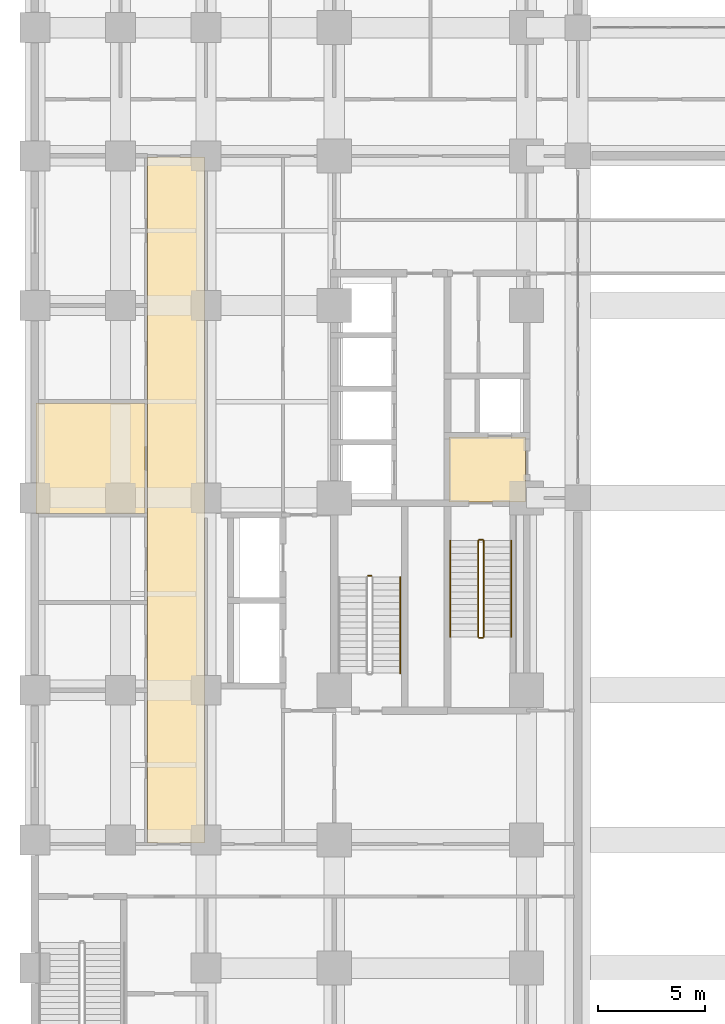
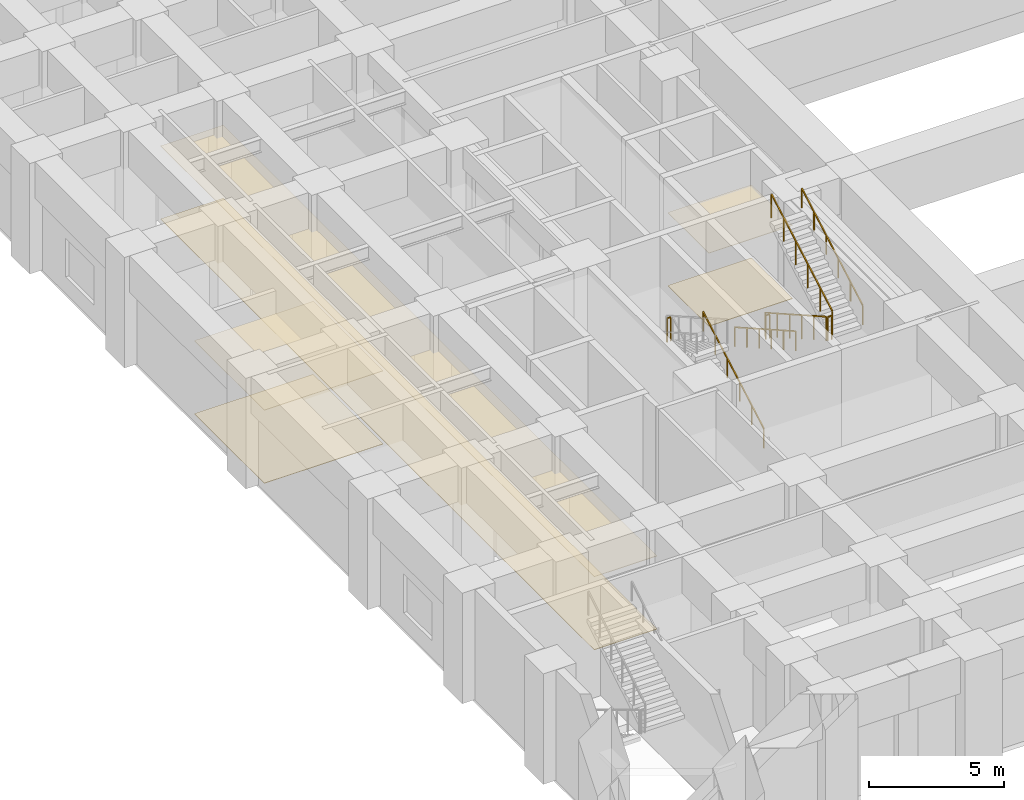
# One storey, part 20 of 24: 8 railings, 6 coverings.
"""IFC4 building model written with IfcOpenShell, lengths in metres."""

from ifc_helpers import new_model, si_unit, direction, frame, origin, origin_2d, place, context, subcontext, project, spatial, polyline, rectangle, outline, extrude, material, layer, layer_set, type_object, element, save


model = new_model("IFC4")

# Units and contexts
model_context = context("Model", 3, precision=1e-05, world=origin(), true_north=direction((0.0, 1.0)))
body_context = subcontext(model_context, "Body", "Model", "MODEL_VIEW")
ifc_project = project(units=[si_unit("LENGTHUNIT", "METRE"), si_unit("AREAUNIT", "SQUARE_METRE"), si_unit("VOLUMEUNIT", "CUBIC_METRE"), si_unit("PLANEANGLEUNIT", "RADIAN"), si_unit("MASSUNIT", "GRAM", prefix="KILO")], contexts=[model_context])

# Site, building, storey
site_placement = place(None, origin())
site = spatial("IfcSite", under=ifc_project, at=site_placement, CompositionType="ELEMENT")
building_placement = place(site_placement, origin())
building = spatial("IfcBuilding", under=site, at=building_placement, Name="Zulmaris Gate Convention Tower", CompositionType="ELEMENT")
storey_placement = place(building_placement, frame((0.0, 0.0, 16.320068359375)))
storey = spatial("IfcBuildingStorey", under=building, at=storey_placement, Name="L03", CompositionType="ELEMENT", Elevation=16.320068359375)

# Coverings
ifc_material_1 = material(Name="Mineral Fibre Acoustic Ceiling Tile")
ifc_layer_1 = layer(ifc_material_1, 0.02001953125, Name="Mineral Fibre Acoustic Ceiling Tile")
ifc_layer_set_1 = layer_set([ifc_layer_1], Name="Mineral Fibre Acoustic Ceiling Tile")
covering_type_1 = type_object("IfcCoveringType", Name="CLG-ACOUSTIC-600", PredefinedType="CEILING", material=ifc_layer_set_1)
covering_1_placement = place(storey_placement, frame((0.0, 0.0, 3.300048828125)))
element("IfcCovering", 1, at=covering_1_placement, inside=storey, type_object=covering_type_1, Name="CLG-L03-R03", PredefinedType="CEILING", context=body_context, shape_type="SweptSolid", body=[
    extrude(outline(polyline([(-14.639892578125, -0.18994140625), (-11.06005859375, -0.18994140625), (-11.06005859375, 2.840087890625), (-14.639892578125, 2.840087890625), (-14.639892578125, -0.18994140625)])), origin(), (0.0, 0.0, 1.0), 0.019775390625),
])
covering_2_placement = place(storey_placement, frame((0.0, 0.0, 3.300048828125)))
element("IfcCovering", 2, at=covering_2_placement, inside=storey, type_object=covering_type_1, Name="CLG-L03-R68", PredefinedType="CEILING", context=body_context, shape_type="SweptSolid", body=[
    extrude(outline(polyline([(-28.739990234375, -16.139892578125), (-26.06005859375, -16.139892578125), (-26.06005859375, 15.93994140625), (-28.739990234375, 15.93994140625), (-28.739990234375, -16.139892578125)])), origin(), (0.0, 0.0, 1.0), 0.019775390625),
])
covering_3_placement = place(storey_placement, frame((0.0, 0.0, 3.300048828125)))
element("IfcCovering", 3, at=covering_3_placement, inside=storey, type_object=covering_type_1, Name="CLG-L03-R72", PredefinedType="CEILING", context=body_context, shape_type="SweptSolid", body=[
    extrude(outline(polyline([(-33.93994140625, -0.739990234375), (-28.860107421875, -0.739990234375), (-28.860107421875, 4.43994140625), (-33.93994140625, 4.43994140625), (-33.93994140625, -0.739990234375)])), origin(), (0.0, 0.0, 1.0), 0.019775390625),
])
ifc_material_2 = material(Name="Woven Acoustic Wool Carpet Tile")
ifc_layer_2 = layer(ifc_material_2, 0.02001953125, Name="Woven Acoustic Wool Carpet Tile")
ifc_layer_set_2 = layer_set([ifc_layer_2], Name="Woven Acoustic Wool Carpet Tile")
covering_type_2 = type_object("IfcCoveringType", Name="FLR-CARPET-12", PredefinedType="FLOORING", material=ifc_layer_set_2)
covering_4_placement = place(storey_placement, origin())
element("IfcCovering", 4, at=covering_4_placement, inside=storey, type_object=covering_type_2, Name="FLR-L03-R03", PredefinedType="FLOORING", context=body_context, shape_type="SweptSolid", body=[
    extrude(outline(polyline([(-14.639892578125, -0.18994140625), (-11.06005859375, -0.18994140625), (-11.06005859375, 2.840087890625), (-14.639892578125, 2.840087890625), (-14.639892578125, -0.18994140625)])), origin(), (0.0, 0.0, 1.0), 0.02001953125),
])
covering_5_placement = place(storey_placement, origin())
element("IfcCovering", 5, at=covering_5_placement, inside=storey, type_object=covering_type_2, Name="FLR-L03-R68", PredefinedType="FLOORING", context=body_context, shape_type="SweptSolid", body=[
    extrude(outline(polyline([(-28.739990234375, -16.139892578125), (-26.06005859375, -16.139892578125), (-26.06005859375, 15.93994140625), (-28.739990234375, 15.93994140625), (-28.739990234375, -16.139892578125)])), origin(), (0.0, 0.0, 1.0), 0.02001953125),
])
ifc_material_3 = material(Name="Engineered Teak Parquet Flooring")
ifc_layer_3 = layer(ifc_material_3, 0.02001953125, Name="Engineered Teak Parquet Flooring")
ifc_layer_set_3 = layer_set([ifc_layer_3], Name="Engineered Teak Parquet Flooring")
covering_type_3 = type_object("IfcCoveringType", Name="FLR-TIMBER-18", PredefinedType="FLOORING", material=ifc_layer_set_3)
covering_6_placement = place(storey_placement, origin())
element("IfcCovering", 6, at=covering_6_placement, inside=storey, type_object=covering_type_3, Name="FLR-L03-R72", PredefinedType="FLOORING", context=body_context, shape_type="SweptSolid", body=[
    extrude(outline(polyline([(-33.93994140625, -0.739990234375), (-28.860107421875, -0.739990234375), (-28.860107421875, 4.43994140625), (-33.93994140625, 4.43994140625), (-33.93994140625, -0.739990234375)])), origin(), (0.0, 0.0, 1.0), 0.02001953125),
])

# Railings
ifc_material_4 = material(Name="Painted Galvanised Steel", Category="steel")
railing_type_1 = type_object("IfcRailingType", Name="RL-STG-1150", PredefinedType="GUARDRAIL", material=ifc_material_4)
railing_1_placement = place(storey_placement, frame((-13.27001953125, -2.0, 0.169921875)))
element("IfcRailing", 7, at=railing_1_placement, inside=storey, type_object=railing_type_1, Name="L03 ST-1 stair guard 1", PredefinedType="GUARDRAIL", context=body_context, shape_type="SweptSolid", body=[
    extrude(rectangle(XDim=0.048095703125, YDim=0.048095703125, at=origin_2d()), frame((0.0, 0.0, 1.076171875), z_axis=(0.0, -0.870018136573, 0.493019717692), x_axis=(1.0, 0.0, 0.0)), (0.0, 0.0, 1.0), 5.17236328125),
    extrude(rectangle(XDim=0.0419921875, YDim=0.0419921875, at=origin_2d()), origin(), (0.0, 0.0, 1.0), 1.052001953125),
    extrude(rectangle(XDim=0.0419921875, YDim=0.0419921875, at=origin_2d()), frame((0.0, -0.89990234375, 0.510009765625)), (0.0, 0.0, 1.0), 1.052001953125),
    extrude(rectangle(XDim=0.0419921875, YDim=0.0419921875, at=origin_2d()), frame((0.0, -1.800048828125, 1.02001953125)), (0.0, 0.0, 1.0), 1.052001953125),
    extrude(rectangle(XDim=0.0419921875, YDim=0.0419921875, at=origin_2d()), frame((0.0, -2.699951171875, 1.530029296875)), (0.0, 0.0, 1.0), 1.052001953125),
    extrude(rectangle(XDim=0.0419921875, YDim=0.0419921875, at=origin_2d()), frame((0.0, -3.60009765625, 2.0400390625)), (0.0, 0.0, 1.0), 1.052001953125),
    extrude(rectangle(XDim=0.0419921875, YDim=0.0419921875, at=origin_2d()), frame((0.0, -4.5, 2.550048828125)), (0.0, 0.0, 1.0), 1.052001953125),
])
railing_2_placement = place(storey_placement, frame((-13.219970703125, -6.550048828125, 2.719970703125)))
element("IfcRailing", 8, at=railing_2_placement, inside=storey, type_object=railing_type_1, Name="L03 ST-1 stair guard 2", PredefinedType="GUARDRAIL", context=body_context, shape_type="SweptSolid", body=[
    extrude(rectangle(XDim=0.048095703125, YDim=0.048095703125, at=origin_2d()), frame((0.0, 0.0, 1.076171875), z_axis=(1.0, 0.0, 0.0), x_axis=(0.0, 1.0, 0.0)), (0.0, 0.0, 1.0), 0.159912109375),
    extrude(rectangle(XDim=0.0419921875, YDim=0.0419921875, at=origin_2d()), origin(), (0.0, 0.0, 1.0), 1.052001953125),
    extrude(rectangle(XDim=0.0419921875, YDim=0.0419921875, at=origin_2d()), frame((0.159912109375, 0.0, 0.0)), (0.0, 0.0, 1.0), 1.052001953125),
])
railing_3_placement = place(storey_placement, frame((-13.010009765625, -6.5, 2.889892578125)))
element("IfcRailing", 9, at=railing_3_placement, inside=storey, type_object=railing_type_1, Name="L03 ST-1 stair guard 3", PredefinedType="GUARDRAIL", context=body_context, shape_type="SweptSolid", body=[
    extrude(rectangle(XDim=0.048095703125, YDim=0.048095703125, at=origin_2d()), frame((0.0, 0.0, 1.076171875), z_axis=(0.0, 0.870018136573, 0.493019717692), x_axis=(-1.0, 0.0, 0.0)), (0.0, 0.0, 1.0), 5.17236328125),
    extrude(rectangle(XDim=0.0419921875, YDim=0.0419921875, at=origin_2d()), origin(), (0.0, 0.0, 1.0), 1.052001953125),
    extrude(rectangle(XDim=0.0419921875, YDim=0.0419921875, at=origin_2d()), frame((0.0, 0.89990234375, 0.510009765625)), (0.0, 0.0, 1.0), 1.052001953125),
    extrude(rectangle(XDim=0.0419921875, YDim=0.0419921875, at=origin_2d()), frame((0.0, 1.800048828125, 1.02001953125)), (0.0, 0.0, 1.0), 1.052001953125),
    extrude(rectangle(XDim=0.0419921875, YDim=0.0419921875, at=origin_2d()), frame((0.0, 2.699951171875, 1.530029296875)), (0.0, 0.0, 1.0), 1.052001953125),
    extrude(rectangle(XDim=0.0419921875, YDim=0.0419921875, at=origin_2d()), frame((0.0, 3.60009765625, 2.0400390625)), (0.0, 0.0, 1.0), 1.052001953125),
    extrude(rectangle(XDim=0.0419921875, YDim=0.0419921875, at=origin_2d()), frame((0.0, 4.5, 2.550048828125)), (0.0, 0.0, 1.0), 1.052001953125),
])
railing_4_placement = place(storey_placement, frame((-13.219970703125, -1.949951171875, 0.0)))
element("IfcRailing", 10, at=railing_4_placement, inside=storey, type_object=railing_type_1, Name="L03 ST-1 stair guard 4", PredefinedType="GUARDRAIL", context=body_context, shape_type="SweptSolid", body=[
    extrude(rectangle(XDim=0.048095703125, YDim=0.048095703125, at=origin_2d()), frame((0.0, 0.0, 1.076171875), z_axis=(1.0, 0.0, 0.0), x_axis=(0.0, 1.0, 0.0)), (0.0, 0.0, 1.0), 0.159912109375),
    extrude(rectangle(XDim=0.0419921875, YDim=0.0419921875, at=origin_2d()), origin(), (0.0, 0.0, 1.0), 1.052001953125),
    extrude(rectangle(XDim=0.0419921875, YDim=0.0419921875, at=origin_2d()), frame((0.159912109375, 0.0, 0.0)), (0.0, 0.0, 1.0), 1.052001953125),
])
railing_5_placement = place(storey_placement, frame((-18.260009765625, -3.64990234375, 2.719970703125)))
element("IfcRailing", 11, at=railing_5_placement, inside=storey, type_object=railing_type_1, Name="L03 ST-3 stair guard 2", PredefinedType="GUARDRAIL", context=body_context, shape_type="SweptSolid", body=[
    extrude(rectangle(XDim=0.048095703125, YDim=0.048095703125, at=origin_2d()), frame((0.0, 0.0, 1.076171875), z_axis=(-1.0, 0.0, 0.0), x_axis=(0.0, -1.0, 0.0)), (0.0, 0.0, 1.0), 0.159912109375),
    extrude(rectangle(XDim=0.0419921875, YDim=0.0419921875, at=origin_2d()), origin(), (0.0, 0.0, 1.0), 1.052001953125),
    extrude(rectangle(XDim=0.0419921875, YDim=0.0419921875, at=origin_2d()), frame((-0.159912109375, 0.0, 0.0)), (0.0, 0.0, 1.0), 1.052001953125),
])
ifc_material_5 = material(Name="Brushed Stainless Steel", Category="steel")
railing_type_2 = type_object("IfcRailingType", Name="RL-STH-900", PredefinedType="HANDRAIL", material=ifc_material_5)
railing_6_placement = place(storey_placement, frame((-14.570068359375, -2.0, 0.169921875)))
element("IfcRailing", 12, at=railing_6_placement, inside=storey, type_object=railing_type_2, Name="L03 ST-1 stair handrail 1", PredefinedType="HANDRAIL", context=body_context, shape_type="SweptSolid", body=[
    extrude(rectangle(XDim=0.048095703125, YDim=0.048095703125, at=origin_2d()), frame((0.0, 0.0, 0.8759765625), z_axis=(0.0, -0.870018136573, 0.493019717692), x_axis=(1.0, 0.0, 0.0)), (0.0, 0.0, 1.0), 5.17236328125),
    extrude(rectangle(XDim=0.0419921875, YDim=0.0419921875, at=origin_2d()), origin(), (0.0, 0.0, 1.0), 0.851806640625),
    extrude(rectangle(XDim=0.0419921875, YDim=0.0419921875, at=origin_2d()), frame((0.0, -0.89990234375, 0.510009765625)), (0.0, 0.0, 1.0), 0.851806640625),
    extrude(rectangle(XDim=0.0419921875, YDim=0.0419921875, at=origin_2d()), frame((0.0, -1.800048828125, 1.02001953125)), (0.0, 0.0, 1.0), 0.851806640625),
    extrude(rectangle(XDim=0.0419921875, YDim=0.0419921875, at=origin_2d()), frame((0.0, -2.699951171875, 1.530029296875)), (0.0, 0.0, 1.0), 0.851806640625),
    extrude(rectangle(XDim=0.0419921875, YDim=0.0419921875, at=origin_2d()), frame((0.0, -3.60009765625, 2.0400390625)), (0.0, 0.0, 1.0), 0.851806640625),
    extrude(rectangle(XDim=0.0419921875, YDim=0.0419921875, at=origin_2d()), frame((0.0, -4.5, 2.550048828125)), (0.0, 0.0, 1.0), 0.851806640625),
])
for number, where, name in (
    (13, (-11.7099609375, -6.5, 2.889892578125), "L03 ST-1 stair handrail 2"),
    (14, (-16.909912109375, -8.199951171875, 0.169921875), "L03 ST-3 stair handrail 1"),
):
    element("IfcRailing", number, at=place(storey_placement, frame(where)), inside=storey, type_object=railing_type_2, Name=name, PredefinedType="HANDRAIL", context=body_context, shape_type="SweptSolid", body=[
        extrude(rectangle(XDim=0.048095703125, YDim=0.048095703125, at=origin_2d()), frame((0.0, 0.0, 0.8759765625), z_axis=(0.0, 0.870018136573, 0.493019717692), x_axis=(-1.0, 0.0, 0.0)), (0.0, 0.0, 1.0), 5.17236328125),
        extrude(rectangle(XDim=0.0419921875, YDim=0.0419921875, at=origin_2d()), origin(), (0.0, 0.0, 1.0), 0.851806640625),
        extrude(rectangle(XDim=0.0419921875, YDim=0.0419921875, at=origin_2d()), frame((0.0, 0.89990234375, 0.510009765625)), (0.0, 0.0, 1.0), 0.851806640625),
        extrude(rectangle(XDim=0.0419921875, YDim=0.0419921875, at=origin_2d()), frame((0.0, 1.800048828125, 1.02001953125)), (0.0, 0.0, 1.0), 0.851806640625),
        extrude(rectangle(XDim=0.0419921875, YDim=0.0419921875, at=origin_2d()), frame((0.0, 2.699951171875, 1.530029296875)), (0.0, 0.0, 1.0), 0.851806640625),
        extrude(rectangle(XDim=0.0419921875, YDim=0.0419921875, at=origin_2d()), frame((0.0, 3.60009765625, 2.0400390625)), (0.0, 0.0, 1.0), 0.851806640625),
        extrude(rectangle(XDim=0.0419921875, YDim=0.0419921875, at=origin_2d()), frame((0.0, 4.5, 2.550048828125)), (0.0, 0.0, 1.0), 0.851806640625),
    ])

save(model, "model.ifc")
